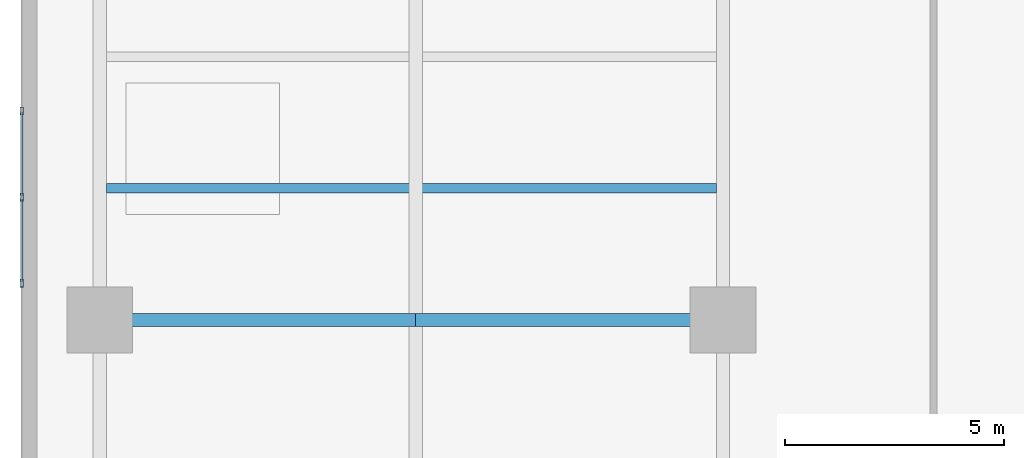
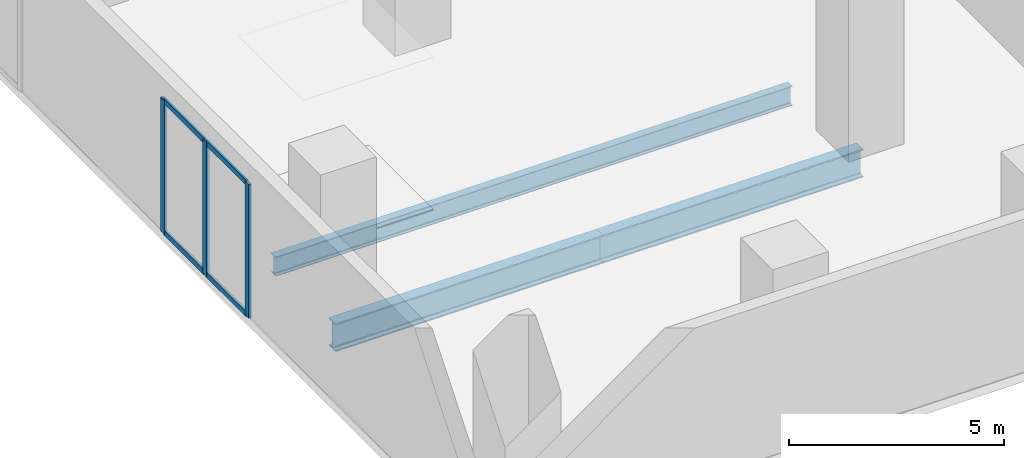
# One storey, part 2 of 14: 7 members, 3 beams, 1 element without a shape of its own.
"""IFC4 building model written with IfcOpenShell, lengths in metres."""

from ifc_helpers import new_model, si_unit, direction, frame, origin, origin_2d, place, context, subcontext, project, spatial, hollow_rectangle, i_section, extrude, material, material_profile, profile_set, type_object, element, aggregate, save


model = new_model("IFC4")

# Units and contexts
model_context = context("Model", 3, precision=1e-05, world=origin(), true_north=direction((0.0, 1.0)))
body_context = subcontext(model_context, "Body", "Model", "MODEL_VIEW")
ifc_project = project(units=[si_unit("LENGTHUNIT", "METRE"), si_unit("AREAUNIT", "SQUARE_METRE"), si_unit("VOLUMEUNIT", "CUBIC_METRE"), si_unit("PLANEANGLEUNIT", "RADIAN"), si_unit("MASSUNIT", "GRAM", prefix="KILO")], contexts=[model_context])

# Site, building, storey
site_placement = place(None, origin())
site = spatial("IfcSite", under=ifc_project, at=site_placement, CompositionType="ELEMENT")
building_placement = place(site_placement, origin())
building = spatial("IfcBuilding", under=site, at=building_placement, Name="Kuzgunbayir Cultural Tower", CompositionType="ELEMENT")
storey_placement = place(building_placement, frame((0.0, 0.0, 13.0)))
storey = spatial("IfcBuildingStorey", under=building, at=storey_placement, Name="L03", CompositionType="ELEMENT", Elevation=13.0)

# Beams
ifc_material_1 = material(Name="Steel S355J2", Category="steel")
ifc_material_profile_1 = material_profile(ifc_material_1, i_section(OverallWidth=0.300048828125, OverallDepth=0.800048828125, WebThickness=0.017578125, FlangeThickness=0.032958984375, FilletRadius=0.030029296875, at=origin_2d()), Name="HEB 800")
ifc_profile_set_1 = profile_set([ifc_material_profile_1], Name="Steel S355J2")
beam_type_1 = type_object("IfcBeamType", Name="BM-GIR-HEB800", PredefinedType="BEAM", material=ifc_profile_set_1)
beam_1_placement = place(storey_placement, frame((5.39990234375, 12.60009765625, -0.64990234375), z_axis=(1.0, 0.0, 0.0), x_axis=(0.0, 1.0, 0.0)))
element("IfcBeam", 1, at=beam_1_placement, inside=storey, type_object=beam_type_1, Name="L03 Podium Primary Girder 1", PredefinedType="BEAM", context=body_context, shape_type="SweptSolid", body=[
    extrude(i_section(OverallWidth=0.300048828125, OverallDepth=0.800048828125, WebThickness=0.017578125, FlangeThickness=0.032958984375, FilletRadius=0.030029296875, at=origin_2d()), origin(), (0.0, 0.0, 1.0), 7.2001953125),
])
beam_2_placement = place(storey_placement, frame((12.60009765625, 12.60009765625, -0.64990234375), z_axis=(1.0, 0.0, 0.0), x_axis=(0.0, 1.0, 0.0)))
element("IfcBeam", 2, at=beam_2_placement, inside=storey, type_object=beam_type_1, Name="L03 Podium Primary Girder 2", PredefinedType="BEAM", context=body_context, shape_type="SweptSolid", body=[
    extrude(i_section(OverallWidth=0.300048828125, OverallDepth=0.800048828125, WebThickness=0.017578125, FlangeThickness=0.032958984375, FilletRadius=0.030029296875, at=origin_2d()), origin(), (0.0, 0.0, 1.0), 7.0),
])
ifc_material_profile_2 = material_profile(ifc_material_1, i_section(OverallWidth=0.2099609375, OverallDepth=0.550048828125, WebThickness=0.010986328125, FlangeThickness=0.01708984375, FilletRadius=0.02392578125, at=origin_2d()), Name="IPE 550")
ifc_profile_set_2 = profile_set([ifc_material_profile_2], Name="Steel S355J2")
beam_type_2 = type_object("IfcBeamType", Name="BM-JST-IPE550", PredefinedType="JOIST", material=ifc_profile_set_2)
beam_3_placement = place(storey_placement, frame((5.550048828125, 15.60009765625, -0.530029296875), z_axis=(1.0, 0.0, 0.0), x_axis=(0.0, 1.0, 0.0)))
element("IfcBeam", 3, at=beam_3_placement, inside=storey, type_object=beam_type_2, Name="L03 Podium Joist A", PredefinedType="JOIST", context=body_context, shape_type="SweptSolid", body=[
    extrude(i_section(OverallWidth=0.2099609375, OverallDepth=0.550048828125, WebThickness=0.010986328125, FlangeThickness=0.01708984375, FilletRadius=0.02392578125, at=origin_2d()), origin(), (0.0, 0.0, 1.0), 13.89990234375),
])

# Curtain wall, members
ifc_material_2 = material(Name="Anodised Aluminium Framing", Category="aluminium")
curtain_wall_type = type_object("IfcCurtainWallType", Name="CW01-POD-FOYER", PredefinedType="NOTDEFINED", material=ifc_material_2)
curtain_wall_placement = place(storey_placement, origin())
curtain_wall = element("IfcCurtainWall", 4, at=curtain_wall_placement, inside=storey, type_object=curtain_wall_type, Name="L03 Civic Foyer Curtain Wall South", PredefinedType="NOTDEFINED")
ifc_material_profile_3 = material_profile(ifc_material_2, hollow_rectangle(XDim=0.074951171875, YDim=0.179931640625, WallThickness=0.0048828125, at=origin_2d()), Name="RHS 180x75x5")
ifc_profile_set_3 = profile_set([ifc_material_profile_3], Name="Anodised Aluminium Framing")
member_type_1 = type_object("IfcMemberType", Name="MEM-CW-MULLION-180", PredefinedType="MULLION", material=ifc_profile_set_3)
member_1_placement = place(storey_placement, frame((3.6201171875, 13.4375, 0.0), z_axis=(0.0, 0.0, 1.0), x_axis=(-1.0, 0.0, 0.0)))
member_1 = element("IfcMember", 5, at=member_1_placement, type_object=member_type_1, Name="CW01 mullion 1", PredefinedType="MULLION", context=body_context, shape_type="SweptSolid", body=[
    extrude(hollow_rectangle(XDim=0.074951171875, YDim=0.179931640625, WallThickness=0.0048828125, at=origin_2d()), origin(), (0.0, 0.0, 1.0), 3.800048828125),
])
member_2_placement = place(storey_placement, frame((3.6201171875, 15.39990234375, 0.0), z_axis=(0.0, 0.0, 1.0), x_axis=(-1.0, 0.0, 0.0)))
member_2 = element("IfcMember", 6, at=member_2_placement, type_object=member_type_1, Name="CW01 mullion 2", PredefinedType="MULLION", context=body_context, shape_type="SweptSolid", body=[
    extrude(hollow_rectangle(XDim=0.074951171875, YDim=0.179931640625, WallThickness=0.0048828125, at=origin_2d()), origin(), (0.0, 0.0, 1.0), 3.800048828125),
])
member_3_placement = place(storey_placement, frame((3.6201171875, 17.362548828125, 0.0), z_axis=(0.0, 0.0, 1.0), x_axis=(-1.0, 0.0, 0.0)))
member_3 = element("IfcMember", 7, at=member_3_placement, type_object=member_type_1, Name="CW01 mullion 3", PredefinedType="MULLION", context=body_context, shape_type="SweptSolid", body=[
    extrude(hollow_rectangle(XDim=0.074951171875, YDim=0.179931640625, WallThickness=0.0048828125, at=origin_2d()), origin(), (0.0, 0.0, 1.0), 3.800048828125),
])
ifc_material_profile_4 = material_profile(ifc_material_2, hollow_rectangle(XDim=0.06005859375, YDim=0.14990234375, WallThickness=0.00390625, at=origin_2d()), Name="RHS 150x60x4")
ifc_profile_set_4 = profile_set([ifc_material_profile_4], Name="Anodised Aluminium Framing")
member_type_2 = type_object("IfcMemberType", Name="MEM-CW-TRANSOM-150", PredefinedType="USERDEFINED", material=ifc_profile_set_4)
member_4_placement = place(storey_placement, frame((3.6201171875, 13.47509765625, 0.030029296875), z_axis=(0.0, 1.0, 0.0), x_axis=(-1.0, 0.0, 0.0)))
member_4 = element("IfcMember", 8, at=member_4_placement, type_object=member_type_2, Name="CW01 transom 1.1", ObjectType="TRANSOM", PredefinedType="USERDEFINED", context=body_context, shape_type="SweptSolid", body=[
    extrude(hollow_rectangle(XDim=0.06005859375, YDim=0.14990234375, WallThickness=0.00390625, at=origin_2d()), origin(), (0.0, 0.0, 1.0), 1.887451171875),
])
member_5_placement = place(storey_placement, frame((3.6201171875, 13.47509765625, 3.77001953125), z_axis=(0.0, 1.0, 0.0), x_axis=(-1.0, 0.0, 0.0)))
member_5 = element("IfcMember", 9, at=member_5_placement, type_object=member_type_2, Name="CW01 transom 1.2", ObjectType="TRANSOM", PredefinedType="USERDEFINED", context=body_context, shape_type="SweptSolid", body=[
    extrude(hollow_rectangle(XDim=0.06005859375, YDim=0.14990234375, WallThickness=0.00390625, at=origin_2d()), origin(), (0.0, 0.0, 1.0), 1.887451171875),
])
member_6_placement = place(storey_placement, frame((3.6201171875, 15.4375, 0.030029296875), z_axis=(0.0, 1.0, 0.0), x_axis=(-1.0, 0.0, 0.0)))
member_6 = element("IfcMember", 10, at=member_6_placement, type_object=member_type_2, Name="CW01 transom 2.1", ObjectType="TRANSOM", PredefinedType="USERDEFINED", context=body_context, shape_type="SweptSolid", body=[
    extrude(hollow_rectangle(XDim=0.06005859375, YDim=0.14990234375, WallThickness=0.00390625, at=origin_2d()), origin(), (0.0, 0.0, 1.0), 1.887451171875),
])
member_7_placement = place(storey_placement, frame((3.6201171875, 15.4375, 3.77001953125), z_axis=(0.0, 1.0, 0.0), x_axis=(-1.0, 0.0, 0.0)))
member_7 = element("IfcMember", 11, at=member_7_placement, type_object=member_type_2, Name="CW01 transom 2.2", ObjectType="TRANSOM", PredefinedType="USERDEFINED", context=body_context, shape_type="SweptSolid", body=[
    extrude(hollow_rectangle(XDim=0.06005859375, YDim=0.14990234375, WallThickness=0.00390625, at=origin_2d()), origin(), (0.0, 0.0, 1.0), 1.887451171875),
])
aggregate(curtain_wall, [member_1, member_2, member_3, member_4, member_5, member_6, member_7])

save(model, "model.ifc")
